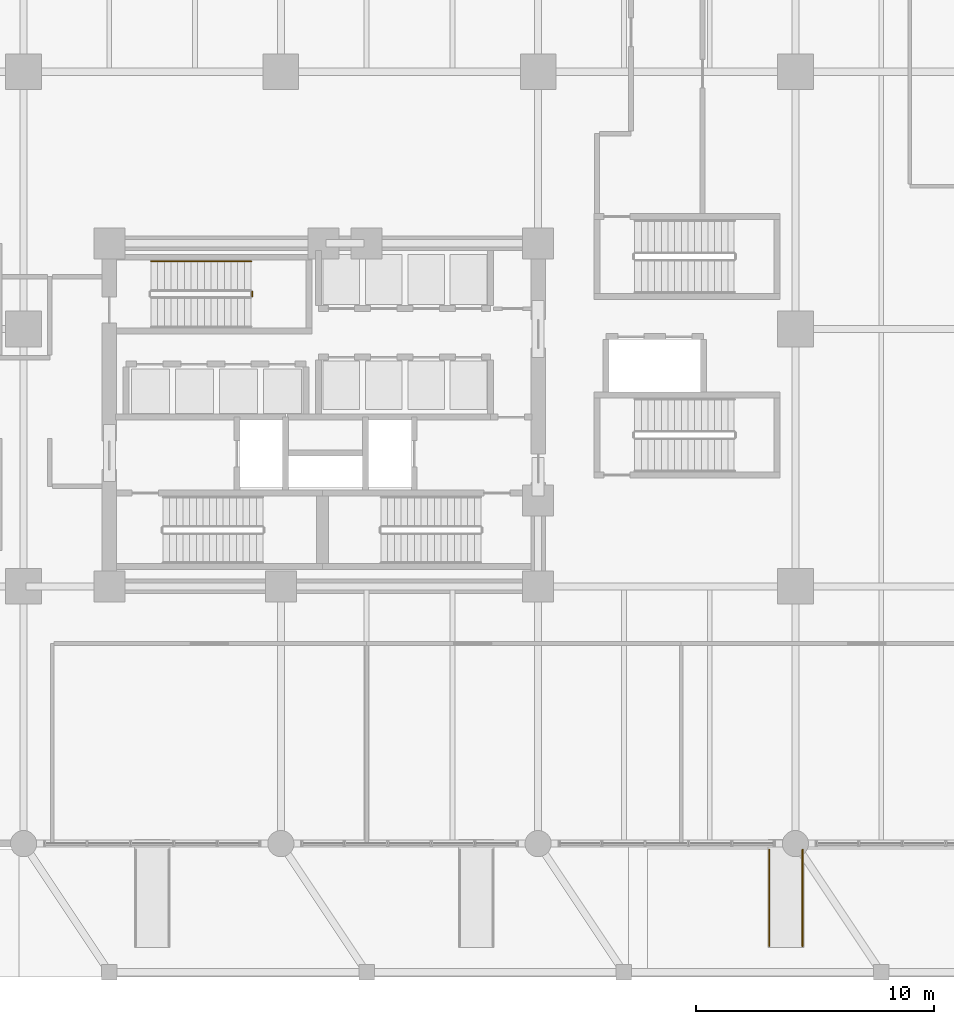
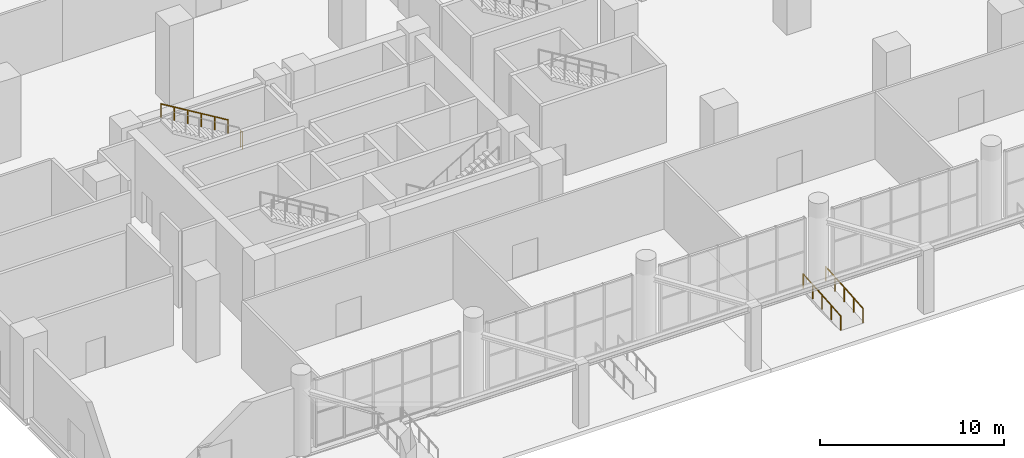
# One storey, part 19 of 22: 4 railings.
"""IFC4 building model written with IfcOpenShell, lengths in metres."""

from ifc_helpers import new_model, si_unit, direction, frame, origin, origin_2d, place, context, subcontext, project, spatial, circle, extrude, material, type_object, element, save


model = new_model("IFC4")

# Units and contexts
model_context = context("Model", 3, precision=1e-05, world=origin(), true_north=direction((0.0, 1.0)))
body_context = subcontext(model_context, "Body", "Model", "MODEL_VIEW")
ifc_project = project(units=[si_unit("LENGTHUNIT", "METRE"), si_unit("AREAUNIT", "SQUARE_METRE"), si_unit("VOLUMEUNIT", "CUBIC_METRE"), si_unit("PLANEANGLEUNIT", "RADIAN"), si_unit("MASSUNIT", "GRAM", prefix="KILO")], contexts=[model_context])

# Site, building, storey
site_placement = place(None, origin())
site = spatial("IfcSite", under=ifc_project, at=site_placement, CompositionType="ELEMENT")
building_placement = place(site_placement, origin())
building = spatial("IfcBuilding", under=site, at=building_placement, Name="Solnavia Interchange Tower", CompositionType="ELEMENT")
storey_placement = place(building_placement, origin())
storey = spatial("IfcBuildingStorey", under=building, at=storey_placement, Name="L00", CompositionType="ELEMENT", Elevation=0.0)

# Railings
ifc_material_1 = material(Name="Brushed Stainless Steel", Category="steel")
railing_type_1 = type_object("IfcRailingType", Name="Railing-RampHandrail-950", PredefinedType="HANDRAIL", material=ifc_material_1)
for number, where, name in (
    (1, (42.10009765625, -4.300048828125, -0.340087890625), "HRL-RMP-L00-A4-L Accessible ramp handrail"),
    (2, (43.5, -4.300048828125, -0.340087890625), "HRL-RMP-L00-A4-R Accessible ramp handrail"),
):
    element("IfcRailing", number, at=place(storey_placement, frame(where)), inside=storey, type_object=railing_type_1, Name=name, PredefinedType="HANDRAIL", context=body_context, shape_type="SweptSolid", body=[
        extrude(circle(Radius=0.02392578125, at=origin_2d()), frame((0.0, 0.0, 0.92578125), z_axis=(0.0, 0.996891817618, 0.078782637464), x_axis=(-1.0, 0.0, 0.0)), (0.0, 0.0, 1.0), 4.062744140625),
        extrude(circle(Radius=0.02099609375, at=origin_2d()), origin(), (0.0, 0.0, 1.0), 0.90185546875),
        extrude(circle(Radius=0.02099609375, at=origin_2d()), frame((0.0, 1.012451171875, 0.080078125)), (0.0, 0.0, 1.0), 0.90185546875),
        extrude(circle(Radius=0.02099609375, at=origin_2d()), frame((0.0, 2.02490234375, 0.16015625)), (0.0, 0.0, 1.0), 0.90185546875),
        extrude(circle(Radius=0.02099609375, at=origin_2d()), frame((0.0, 3.03759765625, 0.239990234375)), (0.0, 0.0, 1.0), 0.90185546875),
        extrude(circle(Radius=0.02099609375, at=origin_2d()), frame((0.0, 4.050048828125, 0.320068359375)), (0.0, 0.0, 1.0), 0.90185546875),
    ])
ifc_material_2 = material(Name="Painted Steel Balustrade", Category="steel")
railing_type_2 = type_object("IfcRailingType", Name="Railing-StairGuard-1100", PredefinedType="GUARDRAIL", material=ifc_material_2)
railing_1_placement = place(storey_placement, frame((20.39990234375, 22.969970703125, 2.699951171875)))
element("IfcRailing", 3, at=railing_1_placement, inside=storey, type_object=railing_type_2, Name="L00 ST-3 stair guard 2", PredefinedType="GUARDRAIL", context=body_context, shape_type="SweptSolid", body=[
    extrude(circle(Radius=0.02392578125, at=origin_2d()), frame((0.0, 0.0, 1.09619140625), z_axis=(0.0, 1.0, 0.0), x_axis=(-1.0, 0.0, 0.0)), (0.0, 0.0, 1.0), 0.199951171875),
    extrude(circle(Radius=0.02099609375, at=origin_2d()), origin(), (0.0, 0.0, 1.0), 1.072021484375),
    extrude(circle(Radius=0.02099609375, at=origin_2d()), frame((0.0, 0.199951171875, 0.0)), (0.0, 0.0, 1.0), 1.072021484375),
])
railing_type_3 = type_object("IfcRailingType", Name="Railing-StairHandrail-900", PredefinedType="HANDRAIL", material=ifc_material_1)
railing_2_placement = place(storey_placement, frame((20.35009765625, 24.43994140625, 2.86865234375)))
element("IfcRailing", 4, at=railing_2_placement, inside=storey, type_object=railing_type_3, Name="L00 ST-3 stair handrail 2", PredefinedType="HANDRAIL", context=body_context, shape_type="SweptSolid", body=[
    extrude(circle(Radius=0.02392578125, at=origin_2d()), frame((0.0, 0.0, 0.8759765625), z_axis=(-0.856489757249, 0.0, 0.516164020179), x_axis=(0.0, -1.0, 0.0)), (0.0, 0.0, 1.0), 4.904052734375),
    extrude(circle(Radius=0.02099609375, at=origin_2d()), origin(), (0.0, 0.0, 1.0), 0.851806640625),
    extrude(circle(Radius=0.02099609375, at=origin_2d()), frame((-0.840087890625, 0.0, 0.50634765625)), (0.0, 0.0, 1.0), 0.851806640625),
    extrude(circle(Radius=0.02099609375, at=origin_2d()), frame((-1.68017578125, 0.0, 1.012451171875)), (0.0, 0.0, 1.0), 0.851806640625),
    extrude(circle(Radius=0.02099609375, at=origin_2d()), frame((-2.52001953125, 0.0, 1.518798828125)), (0.0, 0.0, 1.0), 0.851806640625),
    extrude(circle(Radius=0.02099609375, at=origin_2d()), frame((-3.360107421875, 0.0, 2.02490234375)), (0.0, 0.0, 1.0), 0.851806640625),
    extrude(circle(Radius=0.02099609375, at=origin_2d()), frame((-4.2001953125, 0.0, 2.53125)), (0.0, 0.0, 1.0), 0.851806640625),
])

save(model, "model.ifc")
